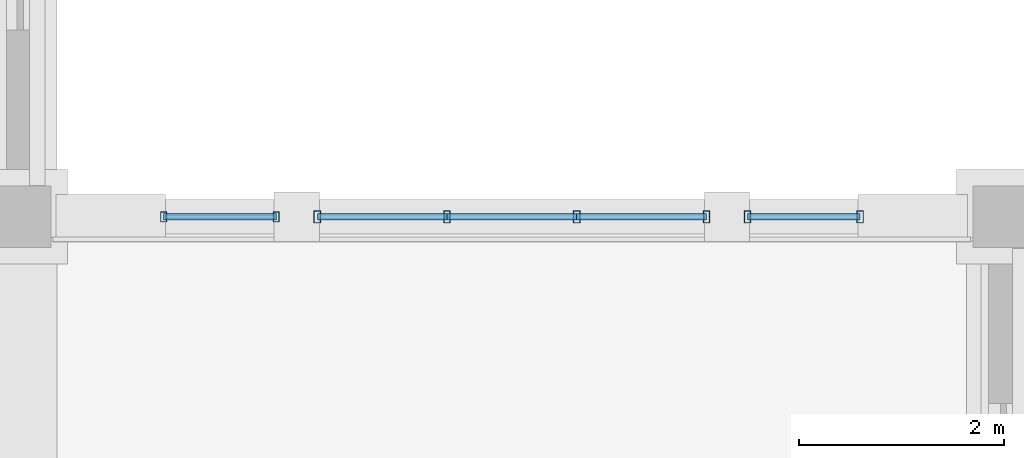
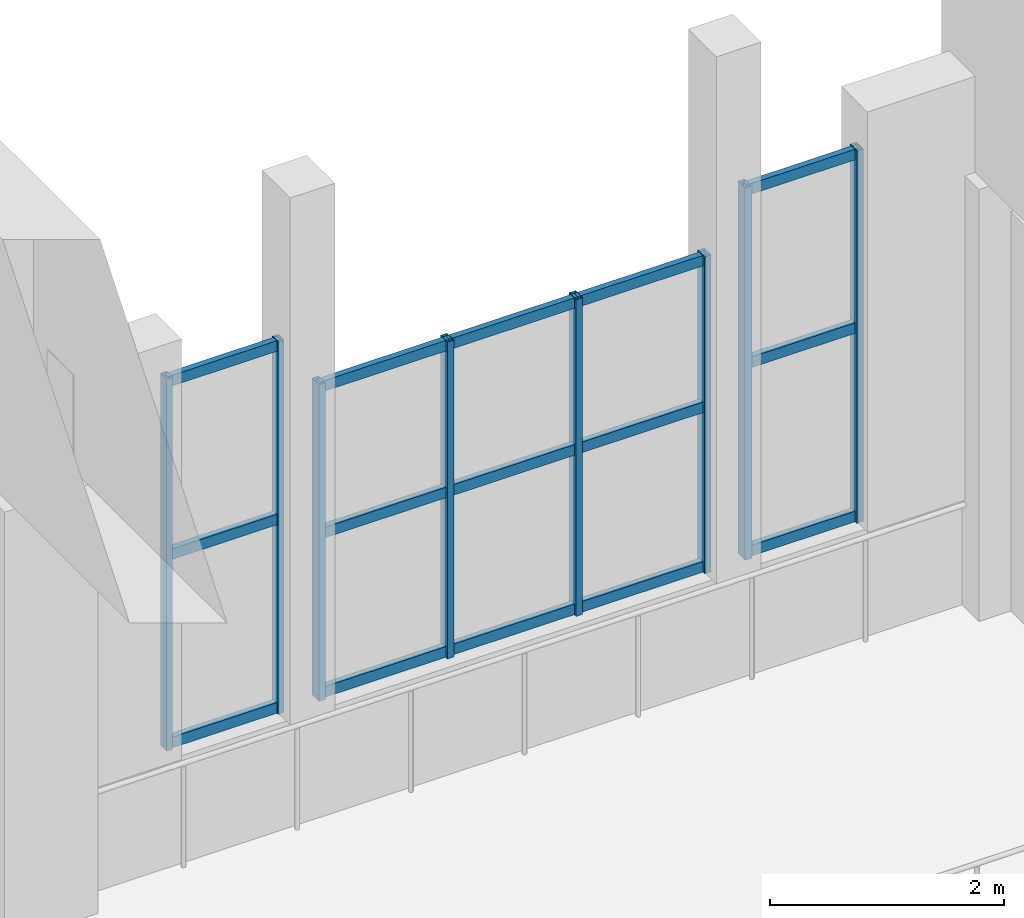
# One storey, part 18 of 46: 23 members, 3 elements without a shape of their own.
"""IFC4 building model written with IfcOpenShell, lengths in metres."""

from ifc_helpers import new_model, si_unit, direction, frame, origin, origin_2d, place, context, subcontext, project, spatial, hollow_rectangle, extrude, material, material_profile, profile_set, type_object, element, aggregate, save


model = new_model("IFC4")

# Units and contexts
model_context = context("Model", 3, precision=1e-05, world=origin(), true_north=direction((0.0, 1.0)))
body_context = subcontext(model_context, "Body", "Model", "MODEL_VIEW")
ifc_project = project(units=[si_unit("LENGTHUNIT", "METRE"), si_unit("AREAUNIT", "SQUARE_METRE"), si_unit("VOLUMEUNIT", "CUBIC_METRE"), si_unit("PLANEANGLEUNIT", "RADIAN"), si_unit("MASSUNIT", "GRAM", prefix="KILO")], contexts=[model_context])

# Site, building, storey
site_placement = place(None, origin())
site = spatial("IfcSite", under=ifc_project, at=site_placement, CompositionType="ELEMENT")
building_placement = place(site_placement, origin())
building = spatial("IfcBuilding", under=site, at=building_placement, Name="Mavantir Sound Aquarium", CompositionType="ELEMENT")
storey_placement = place(building_placement, frame((0.0, 0.0, 15.300048828125)))
storey = spatial("IfcBuildingStorey", under=building, at=storey_placement, Name="L03", CompositionType="ELEMENT", Elevation=15.300048828125)

# Curtain wall, members
ifc_material_1 = material(Name="Anodised Marine Aluminium and Low-E Glass", Category="aluminium")
curtain_wall_type_1 = type_object("IfcCurtainWallType", Name="CW-T14", PredefinedType="USERDEFINED", material=ifc_material_1)
curtain_wall_1_placement = place(storey_placement, origin())
curtain_wall_1 = element("IfcCurtainWall", 1, at=curtain_wall_1_placement, inside=storey, type_object=curtain_wall_type_1, Name="L03 unitised curtain wall CW-14 157", ObjectType="UNITISED GLAZING", PredefinedType="USERDEFINED")
ifc_material_2 = material(Name="Anodised Marine Aluminium 6063-T6", Category="aluminium")
ifc_material_profile_1 = material_profile(ifc_material_2, hollow_rectangle(XDim=0.06005859375, YDim=0.10009765625, WallThickness=0.00390625, at=origin_2d()), Name="ALU-MULLION-100X60")
ifc_profile_set_1 = profile_set([ifc_material_profile_1], Name="Anodised Marine Aluminium 6063-T6")
member_type_1 = type_object("IfcMemberType", Name="CW-MUL-100", PredefinedType="MULLION", material=ifc_profile_set_1)
member_1_placement = place(storey_placement, frame((128.60009765625, 80.800048828125, 1.119873046875), z_axis=(0.0, 0.0, 1.0), x_axis=(1.0, 0.0, 0.0)))
member_1 = element("IfcMember", 2, at=member_1_placement, type_object=member_type_1, Name="CW-DIOC-3N-L vertical mullion 1", PredefinedType="MULLION", context=body_context, shape_type="SweptSolid", body=[
    extrude(hollow_rectangle(XDim=0.06005859375, YDim=0.10009765625, WallThickness=0.00390625, at=origin_2d()), origin(), (0.0, 0.0, 1.0), 3.880126953125),
])
member_2_placement = place(storey_placement, frame((129.699951171875, 80.800048828125, 1.119873046875), z_axis=(0.0, 0.0, 1.0), x_axis=(1.0, 0.0, 0.0)))
member_2 = element("IfcMember", 3, at=member_2_placement, type_object=member_type_1, Name="CW-DIOC-3N-L vertical mullion 2", PredefinedType="MULLION", context=body_context, shape_type="SweptSolid", body=[
    extrude(hollow_rectangle(XDim=0.06005859375, YDim=0.10009765625, WallThickness=0.00390625, at=origin_2d()), origin(), (0.0, 0.0, 1.0), 3.880126953125),
])

curtain_wall_type_2 = type_object("IfcCurtainWallType", Name="CW-T13", PredefinedType="USERDEFINED", material=ifc_material_1)
curtain_wall_2_placement = place(storey_placement, origin())
curtain_wall_2 = element("IfcCurtainWall", 4, at=curtain_wall_2_placement, inside=storey, type_object=curtain_wall_type_2, Name="L03 unitised curtain wall CW-13 156", ObjectType="UNITISED GLAZING", PredefinedType="USERDEFINED")
ifc_material_profile_2 = material_profile(ifc_material_2, hollow_rectangle(XDim=0.06494140625, YDim=0.1201171875, WallThickness=0.00390625, at=origin_2d()), Name="ALU-MULLION-120X65")
ifc_profile_set_2 = profile_set([ifc_material_profile_2], Name="Anodised Marine Aluminium 6063-T6")
member_type_2 = type_object("IfcMemberType", Name="CW-MUL-120", PredefinedType="MULLION", material=ifc_profile_set_2)
member_3_placement = place(storey_placement, frame((130.10009765625, 80.800048828125, 1.119873046875), z_axis=(0.0, 0.0, 1.0), x_axis=(1.0, 0.0, 0.0)))
member_3 = element("IfcMember", 5, at=member_3_placement, type_object=member_type_2, Name="CW-DIOC-3N-C vertical mullion 1", PredefinedType="MULLION", context=body_context, shape_type="SweptSolid", body=[
    extrude(hollow_rectangle(XDim=0.06494140625, YDim=0.1201171875, WallThickness=0.00390625, at=origin_2d()), origin(), (0.0, 0.0, 1.0), 3.300048828125),
])
member_4_placement = place(storey_placement, frame((131.36669921875, 80.800048828125, 1.119873046875), z_axis=(0.0, 0.0, 1.0), x_axis=(1.0, 0.0, 0.0)))
member_4 = element("IfcMember", 6, at=member_4_placement, type_object=member_type_2, Name="CW-DIOC-3N-C vertical mullion 2", PredefinedType="MULLION", context=body_context, shape_type="SweptSolid", body=[
    extrude(hollow_rectangle(XDim=0.06494140625, YDim=0.1201171875, WallThickness=0.00390625, at=origin_2d()), origin(), (0.0, 0.0, 1.0), 3.300048828125),
])
member_5_placement = place(storey_placement, frame((132.63330078125, 80.800048828125, 1.119873046875), z_axis=(0.0, 0.0, 1.0), x_axis=(1.0, 0.0, 0.0)))
member_5 = element("IfcMember", 7, at=member_5_placement, type_object=member_type_2, Name="CW-DIOC-3N-C vertical mullion 3", PredefinedType="MULLION", context=body_context, shape_type="SweptSolid", body=[
    extrude(hollow_rectangle(XDim=0.06494140625, YDim=0.1201171875, WallThickness=0.00390625, at=origin_2d()), origin(), (0.0, 0.0, 1.0), 3.300048828125),
])
member_6_placement = place(storey_placement, frame((133.89990234375, 80.800048828125, 1.119873046875), z_axis=(0.0, 0.0, 1.0), x_axis=(1.0, 0.0, 0.0)))
member_6 = element("IfcMember", 8, at=member_6_placement, type_object=member_type_2, Name="CW-DIOC-3N-C vertical mullion 4", PredefinedType="MULLION", context=body_context, shape_type="SweptSolid", body=[
    extrude(hollow_rectangle(XDim=0.06494140625, YDim=0.1201171875, WallThickness=0.00390625, at=origin_2d()), origin(), (0.0, 0.0, 1.0), 3.300048828125),
])

curtain_wall_type_3 = type_object("IfcCurtainWallType", Name="CW-T15", PredefinedType="USERDEFINED", material=ifc_material_1)
curtain_wall_3_placement = place(storey_placement, origin())
curtain_wall_3 = element("IfcCurtainWall", 9, at=curtain_wall_3_placement, inside=storey, type_object=curtain_wall_type_3, Name="L03 unitised curtain wall CW-15 158", ObjectType="UNITISED GLAZING", PredefinedType="USERDEFINED")
member_7_placement = place(storey_placement, frame((134.300048828125, 80.800048828125, 1.119873046875), z_axis=(0.0, 0.0, 1.0), x_axis=(1.0, 0.0, 0.0)))
member_7 = element("IfcMember", 10, at=member_7_placement, type_object=member_type_2, Name="CW-DIOC-3N-R vertical mullion 1", PredefinedType="MULLION", context=body_context, shape_type="SweptSolid", body=[
    extrude(hollow_rectangle(XDim=0.06494140625, YDim=0.1201171875, WallThickness=0.00390625, at=origin_2d()), origin(), (0.0, 0.0, 1.0), 3.880126953125),
])
member_8_placement = place(storey_placement, frame((135.39990234375, 80.800048828125, 1.119873046875), z_axis=(0.0, 0.0, 1.0), x_axis=(1.0, 0.0, 0.0)))
member_8 = element("IfcMember", 11, at=member_8_placement, type_object=member_type_2, Name="CW-DIOC-3N-R vertical mullion 2", PredefinedType="MULLION", context=body_context, shape_type="SweptSolid", body=[
    extrude(hollow_rectangle(XDim=0.06494140625, YDim=0.1201171875, WallThickness=0.00390625, at=origin_2d()), origin(), (0.0, 0.0, 1.0), 3.880126953125),
])

# Member
ifc_material_profile_3 = material_profile(ifc_material_2, hollow_rectangle(XDim=0.06005859375, YDim=0.110107421875, WallThickness=0.00390625, at=origin_2d()), Name="ALU-TRANSOM-110X60")
ifc_profile_set_3 = profile_set([ifc_material_profile_3], Name="Anodised Marine Aluminium 6063-T6")
member_type_3 = type_object("IfcMemberType", Name="CW-TRN-110", PredefinedType="USERDEFINED", material=ifc_profile_set_3)
member_9_placement = place(storey_placement, frame((130.10009765625, 80.800048828125, 1.175048828125), z_axis=(1.0, 0.0, 0.0), x_axis=(0.0, 1.0, 0.0)))
member_9 = element("IfcMember", 12, at=member_9_placement, type_object=member_type_3, Name="CW-DIOC-3N-C transom 1.1", ObjectType="TRANSOM", PredefinedType="USERDEFINED", context=body_context, shape_type="SweptSolid", body=[
    extrude(hollow_rectangle(XDim=0.06005859375, YDim=0.110107421875, WallThickness=0.00390625, at=origin_2d()), origin(), (0.0, 0.0, 1.0), 1.2666015625),
])

member_10_placement = place(storey_placement, frame((130.10009765625, 80.800048828125, 2.8359375), z_axis=(1.0, 0.0, 0.0), x_axis=(0.0, 1.0, 0.0)))
member_10 = element("IfcMember", 13, at=member_10_placement, type_object=member_type_3, Name="CW-DIOC-3N-C transom 1.2", ObjectType="TRANSOM", PredefinedType="USERDEFINED", context=body_context, shape_type="SweptSolid", body=[
    extrude(hollow_rectangle(XDim=0.06005859375, YDim=0.110107421875, WallThickness=0.00390625, at=origin_2d()), origin(), (0.0, 0.0, 1.0), 1.2666015625),
])

member_11_placement = place(storey_placement, frame((130.10009765625, 80.800048828125, 4.364990234375), z_axis=(1.0, 0.0, 0.0), x_axis=(0.0, 1.0, 0.0)))
member_11 = element("IfcMember", 14, at=member_11_placement, type_object=member_type_3, Name="CW-DIOC-3N-C transom 1.3", ObjectType="TRANSOM", PredefinedType="USERDEFINED", context=body_context, shape_type="SweptSolid", body=[
    extrude(hollow_rectangle(XDim=0.06005859375, YDim=0.110107421875, WallThickness=0.00390625, at=origin_2d()), origin(), (0.0, 0.0, 1.0), 1.2666015625),
])

member_12_placement = place(storey_placement, frame((131.36669921875, 80.800048828125, 1.175048828125), z_axis=(1.0, 0.0, 0.0), x_axis=(0.0, 1.0, 0.0)))
member_12 = element("IfcMember", 15, at=member_12_placement, type_object=member_type_3, Name="CW-DIOC-3N-C transom 2.1", ObjectType="TRANSOM", PredefinedType="USERDEFINED", context=body_context, shape_type="SweptSolid", body=[
    extrude(hollow_rectangle(XDim=0.06005859375, YDim=0.110107421875, WallThickness=0.00390625, at=origin_2d()), origin(), (0.0, 0.0, 1.0), 1.2666015625),
])

member_13_placement = place(storey_placement, frame((131.36669921875, 80.800048828125, 2.8359375), z_axis=(1.0, 0.0, 0.0), x_axis=(0.0, 1.0, 0.0)))
member_13 = element("IfcMember", 16, at=member_13_placement, type_object=member_type_3, Name="CW-DIOC-3N-C transom 2.2", ObjectType="TRANSOM", PredefinedType="USERDEFINED", context=body_context, shape_type="SweptSolid", body=[
    extrude(hollow_rectangle(XDim=0.06005859375, YDim=0.110107421875, WallThickness=0.00390625, at=origin_2d()), origin(), (0.0, 0.0, 1.0), 1.2666015625),
])

member_14_placement = place(storey_placement, frame((131.36669921875, 80.800048828125, 4.364990234375), z_axis=(1.0, 0.0, 0.0), x_axis=(0.0, 1.0, 0.0)))
member_14 = element("IfcMember", 17, at=member_14_placement, type_object=member_type_3, Name="CW-DIOC-3N-C transom 2.3", ObjectType="TRANSOM", PredefinedType="USERDEFINED", context=body_context, shape_type="SweptSolid", body=[
    extrude(hollow_rectangle(XDim=0.06005859375, YDim=0.110107421875, WallThickness=0.00390625, at=origin_2d()), origin(), (0.0, 0.0, 1.0), 1.2666015625),
])

member_15_placement = place(storey_placement, frame((132.63330078125, 80.800048828125, 1.175048828125), z_axis=(1.0, 0.0, 0.0), x_axis=(0.0, 1.0, 0.0)))
member_15 = element("IfcMember", 18, at=member_15_placement, type_object=member_type_3, Name="CW-DIOC-3N-C transom 3.1", ObjectType="TRANSOM", PredefinedType="USERDEFINED", context=body_context, shape_type="SweptSolid", body=[
    extrude(hollow_rectangle(XDim=0.06005859375, YDim=0.110107421875, WallThickness=0.00390625, at=origin_2d()), origin(), (0.0, 0.0, 1.0), 1.2666015625),
])

member_16_placement = place(storey_placement, frame((132.63330078125, 80.800048828125, 2.8359375), z_axis=(1.0, 0.0, 0.0), x_axis=(0.0, 1.0, 0.0)))
member_16 = element("IfcMember", 19, at=member_16_placement, type_object=member_type_3, Name="CW-DIOC-3N-C transom 3.2", ObjectType="TRANSOM", PredefinedType="USERDEFINED", context=body_context, shape_type="SweptSolid", body=[
    extrude(hollow_rectangle(XDim=0.06005859375, YDim=0.110107421875, WallThickness=0.00390625, at=origin_2d()), origin(), (0.0, 0.0, 1.0), 1.2666015625),
])

member_17_placement = place(storey_placement, frame((132.63330078125, 80.800048828125, 4.364990234375), z_axis=(1.0, 0.0, 0.0), x_axis=(0.0, 1.0, 0.0)))
member_17 = element("IfcMember", 20, at=member_17_placement, type_object=member_type_3, Name="CW-DIOC-3N-C transom 3.3", ObjectType="TRANSOM", PredefinedType="USERDEFINED", context=body_context, shape_type="SweptSolid", body=[
    extrude(hollow_rectangle(XDim=0.06005859375, YDim=0.110107421875, WallThickness=0.00390625, at=origin_2d()), origin(), (0.0, 0.0, 1.0), 1.2666015625),
])

aggregate(curtain_wall_2, [member_3, member_4, member_5, member_6, member_9, member_10, member_11, member_12, member_13, member_14, member_15, member_16, member_17])

member_18_placement = place(storey_placement, frame((128.60009765625, 80.800048828125, 1.175048828125), z_axis=(1.0, 0.0, 0.0), x_axis=(0.0, 1.0, 0.0)))
member_18 = element("IfcMember", 21, at=member_18_placement, type_object=member_type_3, Name="CW-DIOC-3N-L transom 1.1", ObjectType="TRANSOM", PredefinedType="USERDEFINED", context=body_context, shape_type="SweptSolid", body=[
    extrude(hollow_rectangle(XDim=0.06005859375, YDim=0.110107421875, WallThickness=0.00390625, at=origin_2d()), origin(), (0.0, 0.0, 1.0), 1.099853515625),
])

member_19_placement = place(storey_placement, frame((128.60009765625, 80.800048828125, 3.137451171875), z_axis=(1.0, 0.0, 0.0), x_axis=(0.0, 1.0, 0.0)))
member_19 = element("IfcMember", 22, at=member_19_placement, type_object=member_type_3, Name="CW-DIOC-3N-L transom 1.2", ObjectType="TRANSOM", PredefinedType="USERDEFINED", context=body_context, shape_type="SweptSolid", body=[
    extrude(hollow_rectangle(XDim=0.06005859375, YDim=0.110107421875, WallThickness=0.00390625, at=origin_2d()), origin(), (0.0, 0.0, 1.0), 1.099853515625),
])

member_20_placement = place(storey_placement, frame((128.60009765625, 80.800048828125, 4.945068359375), z_axis=(1.0, 0.0, 0.0), x_axis=(0.0, 1.0, 0.0)))
member_20 = element("IfcMember", 23, at=member_20_placement, type_object=member_type_3, Name="CW-DIOC-3N-L transom 1.3", ObjectType="TRANSOM", PredefinedType="USERDEFINED", context=body_context, shape_type="SweptSolid", body=[
    extrude(hollow_rectangle(XDim=0.06005859375, YDim=0.110107421875, WallThickness=0.00390625, at=origin_2d()), origin(), (0.0, 0.0, 1.0), 1.099853515625),
])

aggregate(curtain_wall_1, [member_1, member_2, member_18, member_19, member_20])

member_21_placement = place(storey_placement, frame((134.300048828125, 80.800048828125, 1.175048828125), z_axis=(1.0, 0.0, 0.0), x_axis=(0.0, 1.0, 0.0)))
member_21 = element("IfcMember", 24, at=member_21_placement, type_object=member_type_3, Name="CW-DIOC-3N-R transom 1.1", ObjectType="TRANSOM", PredefinedType="USERDEFINED", context=body_context, shape_type="SweptSolid", body=[
    extrude(hollow_rectangle(XDim=0.06005859375, YDim=0.110107421875, WallThickness=0.00390625, at=origin_2d()), origin(), (0.0, 0.0, 1.0), 1.099853515625),
])

member_22_placement = place(storey_placement, frame((134.300048828125, 80.800048828125, 3.137451171875), z_axis=(1.0, 0.0, 0.0), x_axis=(0.0, 1.0, 0.0)))
member_22 = element("IfcMember", 25, at=member_22_placement, type_object=member_type_3, Name="CW-DIOC-3N-R transom 1.2", ObjectType="TRANSOM", PredefinedType="USERDEFINED", context=body_context, shape_type="SweptSolid", body=[
    extrude(hollow_rectangle(XDim=0.06005859375, YDim=0.110107421875, WallThickness=0.00390625, at=origin_2d()), origin(), (0.0, 0.0, 1.0), 1.099853515625),
])

member_23_placement = place(storey_placement, frame((134.300048828125, 80.800048828125, 4.945068359375), z_axis=(1.0, 0.0, 0.0), x_axis=(0.0, 1.0, 0.0)))
member_23 = element("IfcMember", 26, at=member_23_placement, type_object=member_type_3, Name="CW-DIOC-3N-R transom 1.3", ObjectType="TRANSOM", PredefinedType="USERDEFINED", context=body_context, shape_type="SweptSolid", body=[
    extrude(hollow_rectangle(XDim=0.06005859375, YDim=0.110107421875, WallThickness=0.00390625, at=origin_2d()), origin(), (0.0, 0.0, 1.0), 1.099853515625),
])

aggregate(curtain_wall_3, [member_7, member_8, member_21, member_22, member_23])

save(model, "model.ifc")
